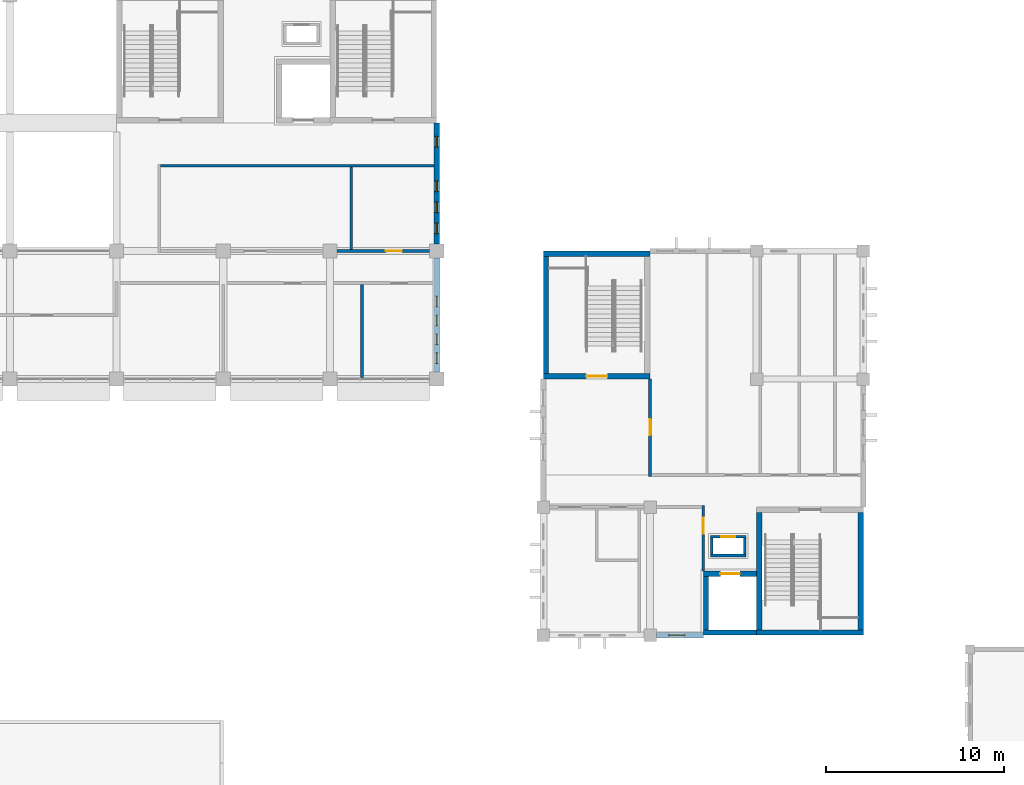
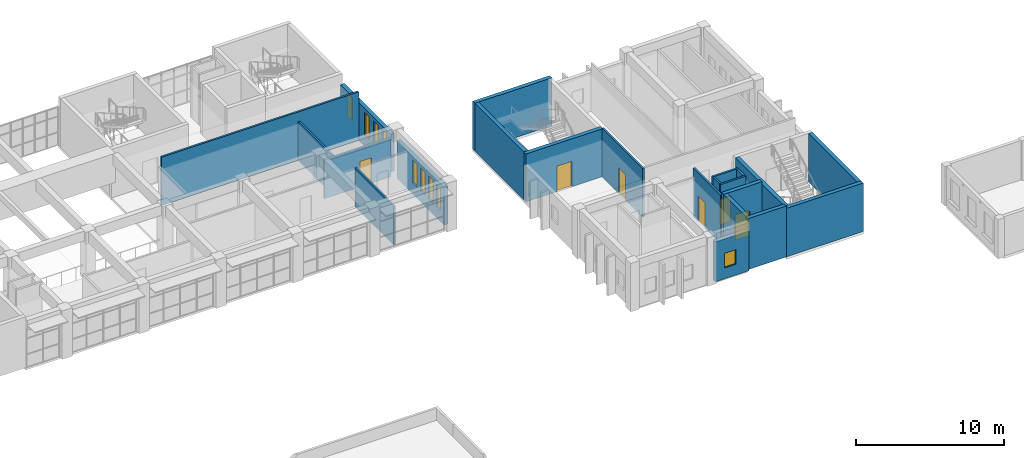
# One storey, part 34 of 47: 22 walls, 9 windows, 6 doors, 15 openings.
"""IFC4 building model written with IfcOpenShell, lengths in metres."""

import ifcopenshell
import ifcopenshell.guid

model = None  # the IFC model being written
_history = None  # IfcOwnerHistory: only IFC2X3 demands one
_inside = {}  # id of a spatial element -> (the spatial element, [elements in it])
_under = {}  # id of a project, library or spatial element -> (it, [spatial elements below it])
_declared = {}  # id of a project -> (the project, [libraries it declares])
_typed = {}  # id of a type object -> (the type object, [elements of that type])
_made_of = {}  # id of a material, layer set ... -> (it, [elements and type objects made of it])


def new_model(schema):
    """Start an empty IFC model of exactly this schema.

    Asked for "IFC4X3", IfcOpenShell would pick the latest addendum, in which some entities
    have other attributes; the version numbers below select the first issue.
    IFC2X3 requires an IfcOwnerHistory on every rooted entity: one is made here for all.
    """
    global model, _history
    if schema == "IFC4X3":
        model = ifcopenshell.file(schema_version=(4, 3, 0, 0))
    else:
        model = ifcopenshell.file(schema=schema)
    _inside.clear()
    _under.clear()
    _declared.clear()
    _typed.clear()
    _made_of.clear()
    _history = None
    if model.schema == "IFC2X3":
        org = make("IfcOrganization", Name="unknown")
        user = make(
            "IfcPersonAndOrganization",
            ThePerson=make("IfcPerson", FamilyName="unknown"),
            TheOrganization=org,
        )
        app = make(
            "IfcApplication",
            ApplicationDeveloper=org,
            Version="unknown",
            ApplicationFullName="unknown",
            ApplicationIdentifier="unknown",
        )
        _history = make(
            "IfcOwnerHistory",
            OwningUser=user,
            OwningApplication=app,
            ChangeAction="ADDED",
            CreationDate=0,
        )
    return model


def make(cls, **values):
    """One entity of the class cls with the attributes given. An attribute that is None is left unset."""
    return model.create_entity(
        cls, **{name: value for name, value in values.items() if value is not None}
    )


def rooted(cls, **values):
    """An entity with a GlobalId (a new one), such as an element, a storey or a relation."""
    return make(cls, GlobalId=ifcopenshell.guid.new(), OwnerHistory=_history, **values)


def si_unit(unit_type, name, prefix=None):
    """IfcSIUnit, for example si_unit("LENGTHUNIT", "METRE", prefix="MILLI")."""
    return make("IfcSIUnit", UnitType=unit_type, Prefix=prefix, Name=name)


def assignment(units):
    """IfcUnitAssignment: the units of a project."""
    return None if units is None else make("IfcUnitAssignment", Units=units)


def point(xyz):
    """IfcCartesianPoint."""
    return None if xyz is None else make("IfcCartesianPoint", Coordinates=xyz)


def direction(xyz):
    """IfcDirection."""
    return None if xyz is None else make("IfcDirection", DirectionRatios=xyz)


def frame(location, z_axis=None, x_axis=None):
    """IfcAxis2Placement3D, a coordinate frame: its origin and axes. An axis left out is left unset."""
    return make(
        "IfcAxis2Placement3D",
        Location=point(location),
        Axis=direction(z_axis),
        RefDirection=direction(x_axis),
    )


def frame_2d(location, x_axis=None):
    """IfcAxis2Placement2D, a coordinate frame in the plane: its origin and x axis."""
    return make(
        "IfcAxis2Placement2D", Location=point(location), RefDirection=direction(x_axis)
    )


def origin():
    """The frame at (0, 0, 0) with its axes left unset."""
    return frame((0.0, 0.0, 0.0))


def place(relative_to, where):
    """IfcLocalPlacement: puts the frame where relative to a parent placement (None: the world)."""
    return make(
        "IfcLocalPlacement", PlacementRelTo=relative_to, RelativePlacement=where
    )


def context(
    kind, dimensions, precision=None, world=None, true_north=None, identifier=None
):
    """IfcGeometricRepresentationContext, for example the 3D "Model" context."""
    return make(
        "IfcGeometricRepresentationContext",
        ContextIdentifier=identifier,
        ContextType=kind,
        CoordinateSpaceDimension=dimensions,
        Precision=precision,
        WorldCoordinateSystem=world,
        TrueNorth=true_north,
    )


def subcontext(parent, identifier, kind, view, scale=None):
    """IfcGeometricRepresentationSubContext, for example "Body" below "Model"."""
    return make(
        "IfcGeometricRepresentationSubContext",
        ContextIdentifier=identifier,
        ContextType=kind,
        ParentContext=parent,
        TargetScale=scale,
        TargetView=view,
    )


def project(units=None, contexts=None):
    """IfcProject with its units and contexts."""
    return rooted(
        "IfcProject",
        Name="project",
        RepresentationContexts=contexts,
        UnitsInContext=assignment(units),
    )


def spatial(cls, under=None, at=None, **own):
    """A site, building, storey or space (cls), placed at a placement, below another one or the project."""
    s = rooted(cls, ObjectPlacement=at, **own)
    if under is not None:
        _under.setdefault(under.id(), (under, []))[1].append(s)
    return s


def profile(cls, at=None, kind="AREA", **sizes):
    """A parametric profile (cls). Its sizes go by their IFC names, for example OverallWidth=200.0."""
    return make(cls, ProfileType=kind, Position=at, **sizes)


def rectangle(**sizes):
    """IfcRectangleProfileDef."""
    return profile("IfcRectangleProfileDef", **sizes)


def extrude(swept, where, along, depth):
    """IfcExtrudedAreaSolid: the profile swept, set in the frame where, extruded along a direction by depth."""
    return make(
        "IfcExtrudedAreaSolid",
        SweptArea=swept,
        Position=where,
        ExtrudedDirection=direction(along),
        Depth=depth,
    )


def shape(context_of_items, identifier, shape_type, items):
    """IfcShapeRepresentation: the items that make up one representation, for example the "Body"."""
    return make(
        "IfcShapeRepresentation",
        ContextOfItems=context_of_items,
        RepresentationIdentifier=identifier,
        RepresentationType=shape_type,
        Items=items,
    )


def material(Name=None, Category=None):
    """IfcMaterial."""
    return make("IfcMaterial", Name=Name, Category=Category)


def layer(
    of_material, thickness, ventilated=None, Name=None, Category=None, Priority=None
):
    """IfcMaterialLayer: one layer of a wall or slab, of a material (None: an air gap)."""
    return make(
        "IfcMaterialLayer",
        Material=of_material,
        LayerThickness=thickness,
        IsVentilated=ventilated,
        Name=Name,
        Category=Category,
        Priority=Priority,
    )


def layer_set(layers, Name=None):
    """IfcMaterialLayerSet."""
    return make("IfcMaterialLayerSet", MaterialLayers=layers, LayerSetName=Name)


def made_of(thing, what):
    """Note that an element or type object is made of a material, layer set ...; save() writes the relation."""
    if what is not None:
        _made_of.setdefault(what.id(), (what, []))[1].append(thing)
    return thing


def type_object(cls, material=None, **own):
    """A type object (cls), such as IfcWallType, which elements share."""
    return made_of(rooted(cls, **own), material)


def element(
    cls,
    number,
    at=None,
    inside=None,
    cuts=None,
    type_object=None,
    material=None,
    context=None,
    identifier="Body",
    shape_type=None,
    held_by="IfcProductDefinitionShape",
    body=None,
    shapes=None,
    **own,
):
    """One element of the class cls, such as IfcWall. Its Tag is "e" and its number.

    at: its placement. inside: the storey or other place that contains it. cuts: it is an
    opening in that element (IfcRelVoidsElement). A single representation is given by context,
    identifier, shape_type and body (its items); several are given by shapes. held_by: the class
    of the entity that holds the representations. save() writes the other relations.
    """
    e = rooted(cls, Tag="e%d" % number, ObjectPlacement=at, **own)
    if body is not None:
        shapes = [shape(context, identifier, shape_type, body)]
    if shapes is not None:
        e.Representation = make(held_by, Representations=shapes)
    if inside is not None:
        _inside.setdefault(inside.id(), (inside, []))[1].append(e)
    if cuts is not None:
        rooted(
            "IfcRelVoidsElement", RelatingBuildingElement=cuts, RelatedOpeningElement=e
        )
    if type_object is not None:
        _typed.setdefault(type_object.id(), (type_object, []))[1].append(e)
    return made_of(e, material)


def fill(opening, filler):
    """IfcRelFillsElement: the door or window that sits in an opening."""
    return rooted(
        "IfcRelFillsElement",
        RelatingOpeningElement=opening,
        RelatedBuildingElement=filler,
    )


def aggregate(whole, parts):
    """IfcRelAggregates: a whole, such as a stair, and the parts it consists of."""
    return rooted("IfcRelAggregates", RelatingObject=whole, RelatedObjects=parts)


def save(model, path):
    """Write the relations noted so far, then the file.

    IfcRelAggregates (storeys below a building ...), IfcRelContainedInSpatialStructure (elements
    in a storey), IfcRelDefinesByType, IfcRelAssociatesMaterial and IfcRelDeclares: one each for
    every whole, place, type object, material and project.
    """
    for whole, parts in _under.values():
        aggregate(whole, parts)
    for where, things in _inside.values():
        rooted(
            "IfcRelContainedInSpatialStructure",
            RelatedElements=things,
            RelatingStructure=where,
        )
    for kind, things in _typed.values():
        rooted("IfcRelDefinesByType", RelatedObjects=things, RelatingType=kind)
    for what, things in _made_of.values():
        rooted("IfcRelAssociatesMaterial", RelatedObjects=things, RelatingMaterial=what)
    for by, libraries in _declared.values():
        rooted("IfcRelDeclares", RelatingContext=by, RelatedDefinitions=libraries)
    model.write(path)


model = new_model("IFC4")

# Units and contexts
model_context = context("Model", 3, precision=1e-05, world=origin(), true_north=direction((0.0, 1.0)))
body_context = subcontext(model_context, "Body", "Model", "MODEL_VIEW")
ifc_project = project(units=[si_unit("LENGTHUNIT", "METRE"), si_unit("AREAUNIT", "SQUARE_METRE"), si_unit("VOLUMEUNIT", "CUBIC_METRE"), si_unit("PLANEANGLEUNIT", "RADIAN"), si_unit("MASSUNIT", "GRAM", prefix="KILO")], contexts=[model_context])

# Site, building, storey
site_placement = place(None, origin())
site = spatial("IfcSite", under=ifc_project, at=site_placement, CompositionType="ELEMENT")
building_placement = place(site_placement, origin())
building = spatial("IfcBuilding", under=site, at=building_placement, Name="Laocheng Heights Fire and Rescue Headquarters", CompositionType="ELEMENT")
storey_placement = place(building_placement, frame((0.0, 0.0, 16.800048828125)))
storey = spatial("IfcBuildingStorey", under=building, at=storey_placement, Name="L04", CompositionType="ELEMENT", Elevation=16.800048828125)

# Wall, opening, door
ifc_material_1 = material(Name="Gypsum plaster")
ifc_layer_1 = layer(ifc_material_1, 0.010009765625, Name="PLASTER", Category="plaster")
ifc_material_2 = material(Name="Concrete blockwork MU10", Category="masonry")
ifc_layer_2 = layer(ifc_material_2, 0.1298828125, Name="BLOCKWORK", Category="masonry")
ifc_layer_3 = layer(ifc_material_1, 0.010009765625, Name="PLASTER", Category="plaster")
ifc_layer_set_1 = layer_set([ifc_layer_1, ifc_layer_2, ifc_layer_3], Name="Concrete blockwork MU10")
wall_type_1 = type_object("IfcWallType", Name="BLOCKWORK CORRIDOR WALL 150 EI 60 CREW WING", PredefinedType="PARTITIONING", material=ifc_layer_set_1)
wall_1_placement = place(storey_placement, frame((96.0, 44.925048828125, 0.0), z_axis=(0.0, 0.0, 1.0), x_axis=(0.0, 1.0, 0.0)))
wall_1 = element("IfcWall", 1, at=wall_1_placement, inside=storey, type_object=wall_type_1, Name="Partition L04-003", PredefinedType="PARTITIONING", context=body_context, shape_type="SweptSolid", body=[
    extrude(rectangle(XDim=5.474853515625, YDim=0.14990234375, at=frame_2d((2.7373046875, 0.0))), origin(), (0.0, 0.0, 1.0), 4.0),
])
opening_1_placement = place(wall_1_placement, frame((2.324951171875, 0.0, 0.0)))
opening_1 = element("IfcOpeningElement", 2, at=opening_1_placement, cuts=wall_1, Name="Opening L04-T01", PredefinedType="OPENING", context=body_context, shape_type="SweptSolid", body=[
    extrude(rectangle(XDim=0.89990234375, YDim=2.10009765625, at=frame_2d((0.449951171875, 1.050048828125))), frame((0.0, 0.0849609375, 0.0), z_axis=(0.0, -1.0, 0.0), x_axis=(1.0, 0.0, 0.0)), (0.0, 0.0, 1.0), 0.169921875),
])
ifc_material_3 = material(Name="Timber door leaf, veneered", Category="wood")
door_type_1 = type_object("IfcDoorType", Name="TIMBER DOOR 900x2100 EI 30 CREW WING", OperationType="SINGLE_SWING_LEFT", PredefinedType="DOOR", material=ifc_material_3)
door_1_placement = place(opening_1_placement, origin())
door_1 = element("IfcDoor", 3, at=door_1_placement, inside=storey, type_object=door_type_1, Name="Door L04-T01", OperationType="SINGLE_SWING_RIGHT", OverallHeight=2.10009765625, OverallWidth=0.89990234375, PredefinedType="DOOR", context=body_context, shape_type="SweptSolid", body=[
    extrude(rectangle(XDim=0.89990234375, YDim=2.10009765625, at=frame_2d((0.449951171875, 1.050048828125))), frame((0.0, 0.02490234375, 0.0), z_axis=(0.0, -1.0, 0.0), x_axis=(1.0, 0.0, 0.0)), (0.0, 0.0, 1.0), 0.050048828125),
])
fill(opening_1, door_1)

wall_2_placement = place(storey_placement, frame((99.0, 39.60009765625, 0.0), z_axis=(0.0, 0.0, 1.0), x_axis=(0.0, 1.0, 0.0)))
wall_2 = element("IfcWall", 4, at=wall_2_placement, inside=storey, type_object=wall_type_1, Name="Partition L04-004", PredefinedType="PARTITIONING", context=body_context, shape_type="SweptSolid", body=[
    extrude(rectangle(XDim=3.6748046875, YDim=0.14990234375, at=frame_2d((1.83740234375, 0.0))), origin(), (0.0, 0.0, 1.0), 4.0),
])
opening_2_placement = place(wall_2_placement, frame((2.10009765625, 0.0, 0.0)))
opening_2 = element("IfcOpeningElement", 5, at=opening_2_placement, cuts=wall_2, Name="Opening L04-T02", PredefinedType="OPENING", context=body_context, shape_type="SweptSolid", body=[
    extrude(rectangle(XDim=0.89990234375, YDim=2.10009765625, at=frame_2d((0.449951171875, 1.050048828125))), frame((0.0, 0.0849609375, 0.0), z_axis=(0.0, -1.0, 0.0), x_axis=(1.0, 0.0, 0.0)), (0.0, 0.0, 1.0), 0.169921875),
])
door_2_placement = place(opening_2_placement, origin())
door_2 = element("IfcDoor", 6, at=door_2_placement, inside=storey, type_object=door_type_1, Name="Door L04-T02", OperationType="SINGLE_SWING_RIGHT", OverallHeight=2.10009765625, OverallWidth=0.89990234375, PredefinedType="DOOR", context=body_context, shape_type="SweptSolid", body=[
    extrude(rectangle(XDim=0.89990234375, YDim=2.10009765625, at=frame_2d((0.449951171875, 1.050048828125))), frame((0.0, 0.02490234375, 0.0), z_axis=(0.0, -1.0, 0.0), x_axis=(1.0, 0.0, 0.0)), (0.0, 0.0, 1.0), 0.050048828125),
])
fill(opening_2, door_2)

# Walls
ifc_material_4 = material(Name="Gypsum plaster")
ifc_layer_4 = layer(ifc_material_4, 0.010009765625, Name="PLASTER", Category="plaster")
ifc_material_5 = material(Name="Concrete blockwork MU10", Category="masonry")
ifc_layer_5 = layer(ifc_material_5, 0.1298828125, Name="BLOCKWORK", Category="masonry")
ifc_layer_6 = layer(ifc_material_4, 0.010009765625, Name="PLASTER", Category="plaster")
ifc_layer_set_2 = layer_set([ifc_layer_4, ifc_layer_5, ifc_layer_6], Name="Concrete blockwork MU10")
wall_type_2 = type_object("IfcWallType", Name="BLOCKWORK CORRIDOR WALL 150 EI 60 HQ WING", PredefinedType="PARTITIONING", material=ifc_layer_set_2)
wall_3_placement = place(storey_placement, frame((79.199951171875, 57.675048828125, 0.0), z_axis=(0.0, 0.0, 1.0), x_axis=(0.0, 1.0, 0.0)))
element("IfcWall", 7, at=wall_3_placement, inside=storey, type_object=wall_type_2, Name="Partition L04-007", PredefinedType="PARTITIONING", context=body_context, shape_type="SweptSolid", body=[
    extrude(rectangle(XDim=4.64990234375, YDim=0.14990234375, at=frame_2d((2.324951171875, 0.0))), origin(), (0.0, 0.0, 1.0), 3.199951171875),
])
wall_4_placement = place(storey_placement, frame((79.800048828125, 50.47509765625, 0.0), z_axis=(0.0, 0.0, 1.0), x_axis=(0.0, 1.0, 0.0)))
element("IfcWall", 8, at=wall_4_placement, inside=storey, type_object=wall_type_2, Name="Partition L04-008", PredefinedType="PARTITIONING", context=body_context, shape_type="SweptSolid", body=[
    extrude(rectangle(XDim=5.25, YDim=0.14990234375, at=frame_2d((2.625, 0.0))), origin(), (0.0, 0.0, 1.0), 3.199951171875),
])

# Wall, opening, door
wall_5_placement = place(storey_placement, frame((78.39990234375, 57.60009765625, 0.0), z_axis=(0.0, 0.0, 1.0), x_axis=(1.0, 0.0, 0.0)))
wall_5 = element("IfcWall", 9, at=wall_5_placement, inside=storey, type_object=wall_type_2, Name="Partition L04-014", PredefinedType="PARTITIONING", context=body_context, shape_type="SweptSolid", body=[
    extrude(rectangle(XDim=5.2001953125, YDim=0.14990234375, at=frame_2d((2.60009765625, 0.0))), origin(), (0.0, 0.0, 1.0), 3.199951171875),
])
opening_3_placement = place(wall_5_placement, frame((2.75, 0.0, 0.0)))
opening_3 = element("IfcOpeningElement", 10, at=opening_3_placement, cuts=wall_5, Name="Opening L04-Y07", PredefinedType="OPENING", context=body_context, shape_type="SweptSolid", body=[
    extrude(rectangle(XDim=0.89990234375, YDim=2.10009765625, at=frame_2d((0.449951171875, 1.050048828125))), frame((0.0, 0.0849609375, 0.0), z_axis=(0.0, -1.0, 0.0), x_axis=(1.0, 0.0, 0.0)), (0.0, 0.0, 1.0), 0.169921875),
])
ifc_material_6 = material(Name="Timber door leaf, veneered", Category="wood")
door_type_2 = type_object("IfcDoorType", Name="TIMBER DOOR 900x2100 EI 30 HQ WING", OperationType="SINGLE_SWING_LEFT", PredefinedType="DOOR", material=ifc_material_6)
door_3_placement = place(opening_3_placement, origin())
door_3 = element("IfcDoor", 11, at=door_3_placement, inside=storey, type_object=door_type_2, Name="Door L04-Y07", OperationType="SINGLE_SWING_RIGHT", OverallHeight=2.10009765625, OverallWidth=0.89990234375, PredefinedType="DOOR", context=body_context, shape_type="SweptSolid", body=[
    extrude(rectangle(XDim=0.89990234375, YDim=2.10009765625, at=frame_2d((0.449951171875, 1.050048828125))), frame((0.0, 0.02490234375, 0.0), z_axis=(0.0, -1.0, 0.0), x_axis=(1.0, 0.0, 0.0)), (0.0, 0.0, 1.0), 0.050048828125),
])
fill(opening_3, door_3)

# Wall
wall_6_placement = place(storey_placement, frame((68.47509765625, 62.39990234375, 0.0), z_axis=(0.0, 0.0, 1.0), x_axis=(1.0, 0.0, 0.0)))
element("IfcWall", 12, at=wall_6_placement, inside=storey, type_object=wall_type_2, Name="Partition L04-016", PredefinedType="PARTITIONING", context=body_context, shape_type="SweptSolid", body=[
    extrude(rectangle(XDim=15.375, YDim=0.14990234375, at=frame_2d((7.6875, 0.0))), origin(), (0.0, 0.0, 1.0), 4.0),
])

# Wall, openings, windows
ifc_material_7 = material(Name="Precast concrete C40/50", Category="concrete")
ifc_layer_7 = layer(ifc_material_7, 0.300048828125)
ifc_layer_set_3 = layer_set([ifc_layer_7], Name="Precast concrete C40/50")
wall_type_3 = type_object("IfcWallType", Name="PRECAST WALL PANEL 300", PredefinedType="SOLIDWALL", material=ifc_layer_set_3)
wall_7_placement = place(storey_placement, frame((84.0, 50.800048828125, 0.0), z_axis=(0.0, 0.0, 1.0), x_axis=(0.0, 1.0, 0.0)))
wall_7 = element("IfcWall", 13, at=wall_7_placement, inside=storey, type_object=wall_type_3, Name="PRECAST WALL PANEL HQ EAST L04", PredefinedType="SOLIDWALL", context=body_context, shape_type="SweptSolid", body=[
    extrude(rectangle(XDim=6.39990234375, YDim=0.300048828125, at=frame_2d((3.199951171875, 0.0))), origin(), (0.0, 0.0, 1.0), 3.099853515625),
])
opening_4_placement = place(wall_7_placement, frame((0.464111328125, 0.0, 0.89990234375)))
opening_4 = element("IfcOpeningElement", 14, at=opening_4_placement, cuts=wall_7, Name="Opening N1-X", PredefinedType="OPENING", context=body_context, shape_type="SweptSolid", body=[
    extrude(rectangle(XDim=0.60009765625, YDim=1.89990234375, at=frame_2d((0.300048828125, 0.949951171875))), frame((0.0, 0.159912109375, 0.0), z_axis=(0.0, -1.0, 0.0), x_axis=(1.0, 0.0, 0.0)), (0.0, 0.0, 1.0), 0.320068359375),
])
opening_5_placement = place(wall_7_placement, frame((1.528076171875, 0.0, 0.89990234375)))
opening_5 = element("IfcOpeningElement", 15, at=opening_5_placement, cuts=wall_7, Name="Opening N1-X", PredefinedType="OPENING", context=body_context, shape_type="SweptSolid", body=[
    extrude(rectangle(XDim=0.60009765625, YDim=1.89990234375, at=frame_2d((0.300048828125, 0.949951171875))), frame((0.0, 0.159912109375, 0.0), z_axis=(0.0, -1.0, 0.0), x_axis=(1.0, 0.0, 0.0)), (0.0, 0.0, 1.0), 0.320068359375),
])
opening_6_placement = place(wall_7_placement, frame((2.592041015625, 0.0, 0.89990234375)))
opening_6 = element("IfcOpeningElement", 16, at=opening_6_placement, cuts=wall_7, Name="Opening N1-X", PredefinedType="OPENING", context=body_context, shape_type="SweptSolid", body=[
    extrude(rectangle(XDim=0.60009765625, YDim=1.89990234375, at=frame_2d((0.300048828125, 0.949951171875))), frame((0.0, 0.159912109375, 0.0), z_axis=(0.0, -1.0, 0.0), x_axis=(1.0, 0.0, 0.0)), (0.0, 0.0, 1.0), 0.320068359375),
])
opening_7_placement = place(wall_7_placement, frame((3.656005859375, 0.0, 0.89990234375)))
opening_7 = element("IfcOpeningElement", 17, at=opening_7_placement, cuts=wall_7, Name="Opening N1-X", PredefinedType="OPENING", context=body_context, shape_type="SweptSolid", body=[
    extrude(rectangle(XDim=0.60009765625, YDim=1.89990234375, at=frame_2d((0.300048828125, 0.949951171875))), frame((0.0, 0.159912109375, 0.0), z_axis=(0.0, -1.0, 0.0), x_axis=(1.0, 0.0, 0.0)), (0.0, 0.0, 1.0), 0.320068359375),
])
ifc_material_8 = material(Name="Low-e double glazing in aluminium frame", Category="aluminium")
window_type_1 = type_object("IfcWindowType", Name="WINDOW 600 x 1900 HQ END SLOT", PartitioningType="SINGLE_PANEL", PredefinedType="WINDOW", material=ifc_material_8)
window_1_placement = place(opening_4_placement, origin())
window_1 = element("IfcWindow", 18, at=window_1_placement, inside=storey, type_object=window_type_1, Name="HQ END SLOT HQ EAST L04", OverallHeight=1.89990234375, OverallWidth=0.60009765625, PartitioningType="SINGLE_PANEL", PredefinedType="WINDOW", context=body_context, shape_type="SweptSolid", body=[
    extrude(rectangle(XDim=0.60009765625, YDim=1.89990234375, at=frame_2d((0.300048828125, 0.949951171875))), frame((0.0, 0.030029296875, 0.0), z_axis=(0.0, -1.0, 0.0), x_axis=(1.0, 0.0, 0.0)), (0.0, 0.0, 1.0), 0.06005859375),
])
fill(opening_4, window_1)
window_2_placement = place(opening_5_placement, origin())
window_2 = element("IfcWindow", 19, at=window_2_placement, inside=storey, type_object=window_type_1, Name="HQ END SLOT HQ EAST L04", OverallHeight=1.89990234375, OverallWidth=0.60009765625, PartitioningType="SINGLE_PANEL", PredefinedType="WINDOW", context=body_context, shape_type="SweptSolid", body=[
    extrude(rectangle(XDim=0.60009765625, YDim=1.89990234375, at=frame_2d((0.300048828125, 0.949951171875))), frame((0.0, 0.030029296875, 0.0), z_axis=(0.0, -1.0, 0.0), x_axis=(1.0, 0.0, 0.0)), (0.0, 0.0, 1.0), 0.06005859375),
])
fill(opening_5, window_2)
window_3_placement = place(opening_6_placement, origin())
window_3 = element("IfcWindow", 20, at=window_3_placement, inside=storey, type_object=window_type_1, Name="HQ END SLOT HQ EAST L04", OverallHeight=1.89990234375, OverallWidth=0.60009765625, PartitioningType="SINGLE_PANEL", PredefinedType="WINDOW", context=body_context, shape_type="SweptSolid", body=[
    extrude(rectangle(XDim=0.60009765625, YDim=1.89990234375, at=frame_2d((0.300048828125, 0.949951171875))), frame((0.0, 0.030029296875, 0.0), z_axis=(0.0, -1.0, 0.0), x_axis=(1.0, 0.0, 0.0)), (0.0, 0.0, 1.0), 0.06005859375),
])
fill(opening_6, window_3)
window_4_placement = place(opening_7_placement, origin())
window_4 = element("IfcWindow", 21, at=window_4_placement, inside=storey, type_object=window_type_1, Name="HQ END SLOT HQ EAST L04", OverallHeight=1.89990234375, OverallWidth=0.60009765625, PartitioningType="SINGLE_PANEL", PredefinedType="WINDOW", context=body_context, shape_type="SweptSolid", body=[
    extrude(rectangle(XDim=0.60009765625, YDim=1.89990234375, at=frame_2d((0.300048828125, 0.949951171875))), frame((0.0, 0.030029296875, 0.0), z_axis=(0.0, -1.0, 0.0), x_axis=(1.0, 0.0, 0.0)), (0.0, 0.0, 1.0), 0.06005859375),
])
fill(opening_7, window_4)

wall_8_placement = place(storey_placement, frame((84.0, 58.0, 0.0), z_axis=(0.0, 0.0, 1.0), x_axis=(0.0, 1.0, 0.0)))
wall_8 = element("IfcWall", 22, at=wall_8_placement, inside=storey, type_object=wall_type_3, Name="PRECAST WALL PANEL HQ EAST L04", PredefinedType="SOLIDWALL", context=body_context, shape_type="SweptSolid", body=[
    extrude(rectangle(XDim=6.800048828125, YDim=0.300048828125, at=frame_2d((3.39990234375, 0.0))), origin(), (0.0, 0.0, 1.0), 3.099853515625),
])
opening_8_placement = place(wall_8_placement, frame((0.580078125, 0.0, 0.89990234375)))
opening_8 = element("IfcOpeningElement", 23, at=opening_8_placement, cuts=wall_8, Name="Opening N1-X", PredefinedType="OPENING", context=body_context, shape_type="SweptSolid", body=[
    extrude(rectangle(XDim=0.60009765625, YDim=1.89990234375, at=frame_2d((0.300048828125, 0.949951171875))), frame((0.0, 0.159912109375, 0.0), z_axis=(0.0, -1.0, 0.0), x_axis=(1.0, 0.0, 0.0)), (0.0, 0.0, 1.0), 0.320068359375),
])
opening_9_placement = place(wall_8_placement, frame((1.760009765625, 0.0, 0.89990234375)))
opening_9 = element("IfcOpeningElement", 24, at=opening_9_placement, cuts=wall_8, Name="Opening N1-X", PredefinedType="OPENING", context=body_context, shape_type="SweptSolid", body=[
    extrude(rectangle(XDim=0.60009765625, YDim=1.89990234375, at=frame_2d((0.300048828125, 0.949951171875))), frame((0.0, 0.159912109375, 0.0), z_axis=(0.0, -1.0, 0.0), x_axis=(1.0, 0.0, 0.0)), (0.0, 0.0, 1.0), 0.320068359375),
])
opening_10_placement = place(wall_8_placement, frame((2.93994140625, 0.0, 0.89990234375)))
opening_10 = element("IfcOpeningElement", 25, at=opening_10_placement, cuts=wall_8, Name="Opening N1-X", PredefinedType="OPENING", context=body_context, shape_type="SweptSolid", body=[
    extrude(rectangle(XDim=0.60009765625, YDim=1.89990234375, at=frame_2d((0.300048828125, 0.949951171875))), frame((0.0, 0.159912109375, 0.0), z_axis=(0.0, -1.0, 0.0), x_axis=(1.0, 0.0, 0.0)), (0.0, 0.0, 1.0), 0.320068359375),
])
opening_11_placement = place(wall_8_placement, frame((5.43994140625, 0.0, 0.89990234375)))
opening_11 = element("IfcOpeningElement", 26, at=opening_11_placement, cuts=wall_8, Name="Opening N1-X", PredefinedType="OPENING", context=body_context, shape_type="SweptSolid", body=[
    extrude(rectangle(XDim=0.60009765625, YDim=1.89990234375, at=frame_2d((0.300048828125, 0.949951171875))), frame((0.0, 0.159912109375, 0.0), z_axis=(0.0, -1.0, 0.0), x_axis=(1.0, 0.0, 0.0)), (0.0, 0.0, 1.0), 0.320068359375),
])
window_5_placement = place(opening_8_placement, origin())
window_5 = element("IfcWindow", 27, at=window_5_placement, inside=storey, type_object=window_type_1, Name="HQ END SLOT HQ EAST L04", OverallHeight=1.89990234375, OverallWidth=0.60009765625, PartitioningType="SINGLE_PANEL", PredefinedType="WINDOW", context=body_context, shape_type="SweptSolid", body=[
    extrude(rectangle(XDim=0.60009765625, YDim=1.89990234375, at=frame_2d((0.300048828125, 0.949951171875))), frame((0.0, 0.030029296875, 0.0), z_axis=(0.0, -1.0, 0.0), x_axis=(1.0, 0.0, 0.0)), (0.0, 0.0, 1.0), 0.06005859375),
])
fill(opening_8, window_5)
window_6_placement = place(opening_9_placement, origin())
window_6 = element("IfcWindow", 28, at=window_6_placement, inside=storey, type_object=window_type_1, Name="HQ END SLOT HQ EAST L04", OverallHeight=1.89990234375, OverallWidth=0.60009765625, PartitioningType="SINGLE_PANEL", PredefinedType="WINDOW", context=body_context, shape_type="SweptSolid", body=[
    extrude(rectangle(XDim=0.60009765625, YDim=1.89990234375, at=frame_2d((0.300048828125, 0.949951171875))), frame((0.0, 0.030029296875, 0.0), z_axis=(0.0, -1.0, 0.0), x_axis=(1.0, 0.0, 0.0)), (0.0, 0.0, 1.0), 0.06005859375),
])
fill(opening_9, window_6)
window_7_placement = place(opening_10_placement, origin())
window_7 = element("IfcWindow", 29, at=window_7_placement, inside=storey, type_object=window_type_1, Name="HQ END SLOT HQ EAST L04", OverallHeight=1.89990234375, OverallWidth=0.60009765625, PartitioningType="SINGLE_PANEL", PredefinedType="WINDOW", context=body_context, shape_type="SweptSolid", body=[
    extrude(rectangle(XDim=0.60009765625, YDim=1.89990234375, at=frame_2d((0.300048828125, 0.949951171875))), frame((0.0, 0.030029296875, 0.0), z_axis=(0.0, -1.0, 0.0), x_axis=(1.0, 0.0, 0.0)), (0.0, 0.0, 1.0), 0.06005859375),
])
fill(opening_10, window_7)
window_8_placement = place(opening_11_placement, origin())
window_8 = element("IfcWindow", 30, at=window_8_placement, inside=storey, type_object=window_type_1, Name="HQ END SLOT HQ EAST L04", OverallHeight=1.89990234375, OverallWidth=0.60009765625, PartitioningType="SINGLE_PANEL", PredefinedType="WINDOW", context=body_context, shape_type="SweptSolid", body=[
    extrude(rectangle(XDim=0.60009765625, YDim=1.89990234375, at=frame_2d((0.300048828125, 0.949951171875))), frame((0.0, 0.030029296875, 0.0), z_axis=(0.0, -1.0, 0.0), x_axis=(1.0, 0.0, 0.0)), (0.0, 0.0, 1.0), 0.06005859375),
])
fill(opening_11, window_8)

# Wall, opening, window
ifc_material_9 = material(Name="Precast concrete C40/50", Category="concrete")
ifc_layer_8 = layer(ifc_material_9, 0.300048828125)
ifc_layer_set_4 = layer_set([ifc_layer_8], Name="Precast concrete C40/50")
wall_type_4 = type_object("IfcWallType", Name="PRECAST WALL PANEL CREW 300", PredefinedType="SOLIDWALL", material=ifc_layer_set_4)
wall_9_placement = place(storey_placement, frame((96.35009765625, 36.0, 0.0), z_axis=(0.0, 0.0, 1.0), x_axis=(1.0, 0.0, 0.0)))
wall_9 = element("IfcWall", 31, at=wall_9_placement, inside=storey, type_object=wall_type_4, Name="PRECAST WALL PANEL CREW CREW SOUTH L04", PredefinedType="SOLIDWALL", context=body_context, shape_type="SweptSolid", body=[
    extrude(rectangle(XDim=2.64990234375, YDim=0.300048828125, at=frame_2d((1.324951171875, 0.0))), origin(), (0.0, 0.0, 1.0), 3.300048828125),
])
opening_12_placement = place(wall_9_placement, frame((0.715087890625, 0.0, 0.89990234375)))
opening_12 = element("IfcOpeningElement", 32, at=opening_12_placement, cuts=wall_9, Name="Opening N2-W", PredefinedType="OPENING", context=body_context, shape_type="SweptSolid", body=[
    extrude(rectangle(XDim=0.89990234375, YDim=1.199951171875, at=frame_2d((0.449951171875, 0.60009765625))), frame((0.0, 0.159912109375, 0.0), z_axis=(0.0, -1.0, 0.0), x_axis=(1.0, 0.0, 0.0)), (0.0, 0.0, 1.0), 0.320068359375),
])
ifc_material_10 = material(Name="Low-e double glazing in aluminium frame", Category="aluminium")
window_type_2 = type_object("IfcWindowType", Name="WINDOW 900 x 1200 CREW DORMITORY", PartitioningType="SINGLE_PANEL", PredefinedType="WINDOW", material=ifc_material_10)
window_9_placement = place(opening_12_placement, origin())
window_9 = element("IfcWindow", 33, at=window_9_placement, inside=storey, type_object=window_type_2, Name="CREW DORMITORY CREW SOUTH L04", OverallHeight=1.199951171875, OverallWidth=0.89990234375, PartitioningType="SINGLE_PANEL", PredefinedType="WINDOW", context=body_context, shape_type="SweptSolid", body=[
    extrude(rectangle(XDim=0.89990234375, YDim=1.199951171875, at=frame_2d((0.449951171875, 0.60009765625))), frame((0.0, 0.030029296875, 0.0), z_axis=(0.0, -1.0, 0.0), x_axis=(1.0, 0.0, 0.0)), (0.0, 0.0, 1.0), 0.06005859375),
])
fill(opening_12, window_9)

# Wall
ifc_material_11 = material(Name="Concrete C50", Category="concrete")
ifc_layer_9 = layer(ifc_material_11, 0.300048828125)
ifc_layer_set_5 = layer_set([ifc_layer_9], Name="Concrete C50")
wall_type_5 = type_object("IfcWallType", Name="RC LIFT SHAFT WALL 300", PredefinedType="SHEAR", material=ifc_layer_set_5)
wall_10_placement = place(storey_placement, frame((99.0, 36.14990234375, 0.0), z_axis=(0.0, 0.0, 1.0), x_axis=(1.0, 0.0, 0.0)))
element("IfcWall", 34, at=wall_10_placement, inside=storey, type_object=wall_type_5, Name="Lift shaft wall", PredefinedType="SHEAR", context=body_context, shape_type="SweptSolid", body=[
    extrude(rectangle(XDim=3.0, YDim=0.300048828125, at=frame_2d((1.5, 0.0))), origin(), (0.0, 0.0, 1.0), 4.199951171875),
])

# Wall, opening, door
wall_11_placement = place(storey_placement, frame((99.0, 39.449951171875, 0.0), z_axis=(0.0, 0.0, 1.0), x_axis=(1.0, 0.0, 0.0)))
wall_11 = element("IfcWall", 35, at=wall_11_placement, inside=storey, type_object=wall_type_5, Name="Lift shaft wall", PredefinedType="SHEAR", context=body_context, shape_type="SweptSolid", body=[
    extrude(rectangle(XDim=3.0, YDim=0.300048828125, at=frame_2d((1.5, 0.0))), origin(), (0.0, 0.0, 1.0), 4.199951171875),
])
opening_13_placement = place(wall_11_placement, frame((0.949951171875, 0.0, 0.0)))
opening_13 = element("IfcOpeningElement", 36, at=opening_13_placement, cuts=wall_11, Name="Opening L04-K06", PredefinedType="OPENING", context=body_context, shape_type="SweptSolid", body=[
    extrude(rectangle(XDim=1.10009765625, YDim=2.10009765625, at=frame_2d((0.550048828125, 1.050048828125))), frame((0.0, 0.159912109375, 0.0), z_axis=(0.0, -1.0, 0.0), x_axis=(1.0, 0.0, 0.0)), (0.0, 0.0, 1.0), 0.320068359375),
])
ifc_material_12 = material(Name="Stainless steel", Category="steel")
door_type_3 = type_object("IfcDoorType", Name="LANDING DOOR C-L1 SLIDING 1100x2100 E 120", OperationType="DOUBLE_DOOR_SLIDING", PredefinedType="DOOR", material=ifc_material_12)
door_4_placement = place(opening_13_placement, origin())
door_4 = element("IfcDoor", 37, at=door_4_placement, inside=storey, type_object=door_type_3, Name="Landing door C-L1", OperationType="DOUBLE_DOOR_SLIDING", OverallHeight=2.10009765625, OverallWidth=1.10009765625, PredefinedType="DOOR", context=body_context, shape_type="SweptSolid", body=[
    extrude(rectangle(XDim=1.10009765625, YDim=2.10009765625, at=frame_2d((0.550048828125, 1.050048828125))), frame((0.0, 0.02490234375, 0.0), z_axis=(0.0, -1.0, 0.0), x_axis=(1.0, 0.0, 0.0)), (0.0, 0.0, 1.0), 0.050048828125),
])
fill(opening_13, door_4)

# Walls
wall_12_placement = place(storey_placement, frame((99.14990234375, 36.300048828125, 0.0), z_axis=(0.0, 0.0, 1.0), x_axis=(0.0, 1.0, 0.0)))
element("IfcWall", 38, at=wall_12_placement, inside=storey, type_object=wall_type_5, Name="Lift shaft wall", PredefinedType="SHEAR", context=body_context, shape_type="SweptSolid", body=[
    extrude(rectangle(XDim=3.0, YDim=0.300048828125, at=frame_2d((1.5, 0.0))), origin(), (0.0, 0.0, 1.0), 4.199951171875),
])
ifc_material_13 = material(Name="Concrete C50", Category="concrete")
ifc_layer_10 = layer(ifc_material_13, 0.300048828125)
ifc_layer_set_6 = layer_set([ifc_layer_10], Name="Concrete C50")
wall_type_6 = type_object("IfcWallType", Name="RC STAIR ENCLOSURE WALL 300", PredefinedType="SHEAR", material=ifc_layer_set_6)
wall_13_placement = place(storey_placement, frame((102.0, 36.14990234375, 0.0), z_axis=(0.0, 0.0, 1.0), x_axis=(1.0, 0.0, 0.0)))
element("IfcWall", 39, at=wall_13_placement, inside=storey, type_object=wall_type_6, Name="Stair enclosure wall", PredefinedType="SHEAR", context=body_context, shape_type="SweptSolid", body=[
    extrude(rectangle(XDim=6.0, YDim=0.300048828125, at=frame_2d((3.0, 0.0))), origin(), (0.0, 0.0, 1.0), 4.0),
])
for number, where, z_axis, x_axis, name in (
    (40, (102.14990234375, 36.300048828125, 0.0), (0.0, 0.0, 1.0), (0.0, 1.0, 0.0), "Stair enclosure wall"),
    (41, (107.85009765625, 36.300048828125, 0.0), (0.0, 0.0, 1.0), (0.0, 1.0, 0.0), "Stair enclosure wall"),
):
    element("IfcWall", number, at=place(storey_placement, frame(where, z_axis=z_axis, x_axis=x_axis)), inside=storey, type_object=wall_type_6, Name=name, PredefinedType="SHEAR", context=body_context, shape_type="SweptSolid", body=[
        extrude(rectangle(XDim=6.599853515625, YDim=0.300048828125, at=frame_2d((3.2998046875, 0.0))), origin(), (0.0, 0.0, 1.0), 4.0),
    ])

# Wall, opening, door
wall_14_placement = place(storey_placement, frame((90.0, 50.550048828125, 0.0), z_axis=(0.0, 0.0, 1.0), x_axis=(1.0, 0.0, 0.0)))
wall_14 = element("IfcWall", 42, at=wall_14_placement, inside=storey, type_object=wall_type_6, Name="Stair enclosure wall", PredefinedType="SHEAR", context=body_context, shape_type="SweptSolid", body=[
    extrude(rectangle(XDim=6.0, YDim=0.300048828125, at=frame_2d((3.0, 0.0))), origin(), (0.0, 0.0, 1.0), 3.949951171875),
])
opening_14_placement = place(wall_14_placement, frame((2.39990234375, 0.0, 0.0)))
opening_14 = element("IfcOpeningElement", 43, at=opening_14_placement, cuts=wall_14, Name="Opening L04-K08", PredefinedType="OPENING", context=body_context, shape_type="SweptSolid", body=[
    extrude(rectangle(XDim=1.199951171875, YDim=2.10009765625, at=frame_2d((0.60009765625, 1.050048828125))), frame((0.0, 0.159912109375, 0.0), z_axis=(0.0, -1.0, 0.0), x_axis=(1.0, 0.0, 0.0)), (0.0, 0.0, 1.0), 0.320068359375),
])
ifc_material_14 = material(Name="Painted steel", Category="steel")
door_type_4 = type_object("IfcDoorType", Name="FIRE DOOR 1200x2100 EI 60", OperationType="SINGLE_SWING_LEFT", PredefinedType="DOOR", material=ifc_material_14)
door_5_placement = place(opening_14_placement, frame((1.199951171875, 0.0, 0.0), z_axis=(0.0, 0.0, 1.0), x_axis=(-1.0, 0.0, 0.0)))
door_5 = element("IfcDoor", 44, at=door_5_placement, inside=storey, type_object=door_type_4, Name="Stair C2 door", OperationType="SINGLE_SWING_RIGHT", OverallHeight=2.10009765625, OverallWidth=1.199951171875, PredefinedType="DOOR", context=body_context, shape_type="SweptSolid", body=[
    extrude(rectangle(XDim=1.199951171875, YDim=2.10009765625, at=frame_2d((0.60009765625, 1.050048828125))), frame((0.0, 0.02490234375, 0.0), z_axis=(0.0, -1.0, 0.0), x_axis=(1.0, 0.0, 0.0)), (0.0, 0.0, 1.0), 0.050048828125),
])
fill(opening_14, door_5)

# Walls
wall_15_placement = place(storey_placement, frame((90.0, 57.449951171875, 0.0), z_axis=(0.0, 0.0, 1.0), x_axis=(1.0, 0.0, 0.0)))
element("IfcWall", 45, at=wall_15_placement, inside=storey, type_object=wall_type_6, Name="Stair enclosure wall", PredefinedType="SHEAR", context=body_context, shape_type="SweptSolid", body=[
    extrude(rectangle(XDim=6.0, YDim=0.300048828125, at=frame_2d((3.0, 0.0))), origin(), (0.0, 0.0, 1.0), 3.949951171875),
])
wall_16_placement = place(storey_placement, frame((90.14990234375, 50.699951171875, 0.0), z_axis=(0.0, 0.0, 1.0), x_axis=(0.0, 1.0, 0.0)))
element("IfcWall", 46, at=wall_16_placement, inside=storey, type_object=wall_type_6, Name="Stair enclosure wall", PredefinedType="SHEAR", context=body_context, shape_type="SweptSolid", body=[
    extrude(rectangle(XDim=6.60009765625, YDim=0.300048828125, at=frame_2d((3.300048828125, 0.0))), origin(), (0.0, 0.0, 1.0), 3.949951171875),
])
ifc_material_15 = material(Name="Concrete C30", Category="concrete")
ifc_layer_11 = layer(ifc_material_15, 0.14990234375)
ifc_layer_set_7 = layer_set([ifc_layer_11], Name="Concrete C30")
wall_type_7 = type_object("IfcWallType", Name="RISER SHAFT WALL 150", PredefinedType="SOLIDWALL", material=ifc_layer_set_7)
wall_17_placement = place(storey_placement, frame((99.39990234375, 40.47509765625, 0.0), z_axis=(0.0, 0.0, 1.0), x_axis=(1.0, 0.0, 0.0)))
element("IfcWall", 47, at=wall_17_placement, inside=storey, type_object=wall_type_7, Name="Riser shaft wall", PredefinedType="SOLIDWALL", context=body_context, shape_type="SweptSolid", body=[
    extrude(rectangle(XDim=2.0, YDim=0.14990234375, at=frame_2d((1.0, 0.0))), origin(), (0.0, 0.0, 1.0), 4.199951171875),
])

# Wall, opening, door
wall_18_placement = place(storey_placement, frame((99.39990234375, 41.52490234375, 0.0), z_axis=(0.0, 0.0, 1.0), x_axis=(1.0, 0.0, 0.0)))
wall_18 = element("IfcWall", 48, at=wall_18_placement, inside=storey, type_object=wall_type_7, Name="Riser shaft wall", PredefinedType="SOLIDWALL", context=body_context, shape_type="SweptSolid", body=[
    extrude(rectangle(XDim=2.0, YDim=0.14990234375, at=frame_2d((1.0, 0.0))), origin(), (0.0, 0.0, 1.0), 4.199951171875),
])
opening_15_placement = place(wall_18_placement, frame((0.60009765625, 0.0, 0.0)))
opening_15 = element("IfcOpeningElement", 49, at=opening_15_placement, cuts=wall_18, Name="Opening L04-K07", PredefinedType="OPENING", context=body_context, shape_type="SweptSolid", body=[
    extrude(rectangle(XDim=0.800048828125, YDim=2.10009765625, at=frame_2d((0.39990234375, 1.050048828125))), frame((0.0, 0.0849609375, 0.0), z_axis=(0.0, -1.0, 0.0), x_axis=(1.0, 0.0, 0.0)), (0.0, 0.0, 1.0), 0.169921875),
])
ifc_material_16 = material(Name="Painted steel", Category="steel")
door_type_5 = type_object("IfcDoorType", Name="RISER ACCESS DOOR 800x2100 EI 30", OperationType="SINGLE_SWING_LEFT", PredefinedType="DOOR", material=ifc_material_16)
door_6_placement = place(opening_15_placement, origin())
door_6 = element("IfcDoor", 50, at=door_6_placement, inside=storey, type_object=door_type_5, Name="Riser RC1 access door", OperationType="SINGLE_SWING_LEFT", OverallHeight=2.10009765625, OverallWidth=0.800048828125, PredefinedType="DOOR", context=body_context, shape_type="SweptSolid", body=[
    extrude(rectangle(XDim=0.800048828125, YDim=2.10009765625, at=frame_2d((0.39990234375, 1.050048828125))), frame((0.0, 0.02490234375, 0.0), z_axis=(0.0, -1.0, 0.0), x_axis=(1.0, 0.0, 0.0)), (0.0, 0.0, 1.0), 0.050048828125),
])
fill(opening_15, door_6)

# Walls
for number, where, z_axis, x_axis, name in (
    (51, (99.47509765625, 40.550048828125, 0.0), (0.0, 0.0, 1.0), (0.0, 1.0, 0.0), "Riser shaft wall"),
    (52, (101.324951171875, 40.550048828125, 0.0), (0.0, 0.0, 1.0), (0.0, 1.0, 0.0), "Riser shaft wall"),
):
    element("IfcWall", number, at=place(storey_placement, frame(where, z_axis=z_axis, x_axis=x_axis)), inside=storey, type_object=wall_type_7, Name=name, PredefinedType="SOLIDWALL", context=body_context, shape_type="SweptSolid", body=[
        extrude(rectangle(XDim=0.89990234375, YDim=0.14990234375, at=frame_2d((0.449951171875, 0.0))), origin(), (0.0, 0.0, 1.0), 4.199951171875),
    ])

save(model, "model.ifc")
